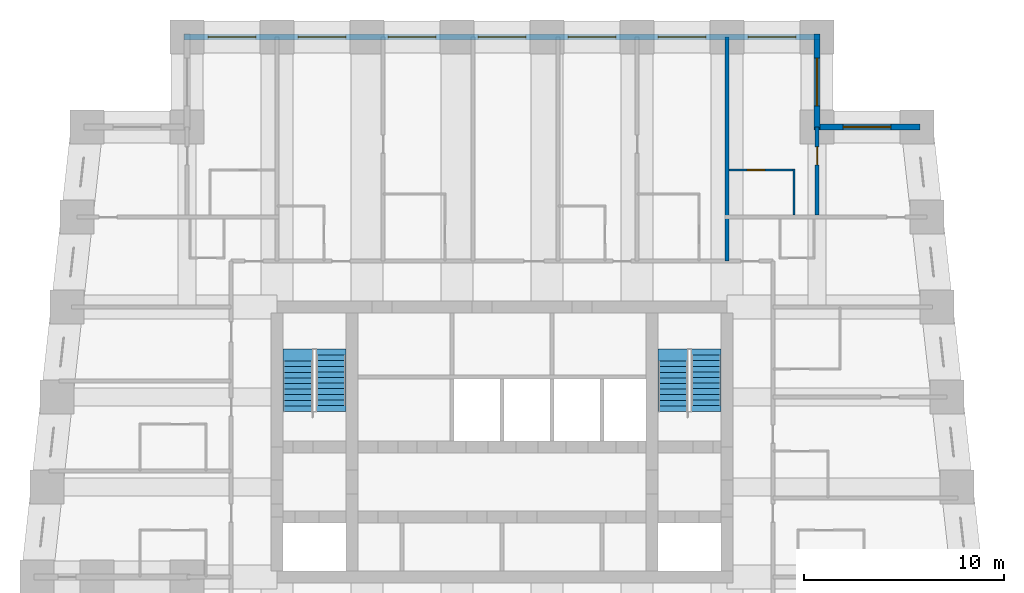
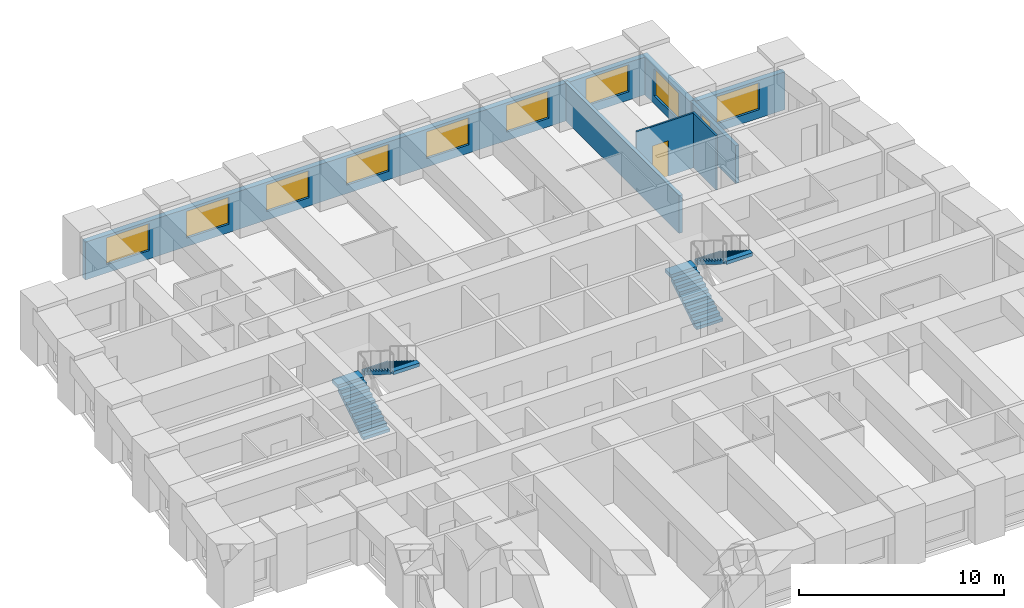
# One storey, part 7 of 8: 9 windows, 7 walls, 4 stair flights, 2 doors, 11 openings, 2 elements without a shape of their own.
"""IFC4 building model written with IfcOpenShell, lengths in metres."""

from ifc_helpers import new_model, si_unit, direction, frame, frame_2d, origin, place, context, subcontext, project, spatial, polyline, rectangle, outline, extrude, material, layer, layer_set, type_object, element, fill, aggregate, save


model = new_model("IFC4")

# Units and contexts
model_context = context("Model", 3, precision=1e-05, world=origin(), true_north=direction((0.0, 1.0)))
body_context = subcontext(model_context, "Body", "Model", "MODEL_VIEW")
ifc_project = project(units=[si_unit("LENGTHUNIT", "METRE"), si_unit("AREAUNIT", "SQUARE_METRE"), si_unit("VOLUMEUNIT", "CUBIC_METRE"), si_unit("PLANEANGLEUNIT", "RADIAN"), si_unit("MASSUNIT", "GRAM", prefix="KILO")], contexts=[model_context])

# Site, building, storey
site_placement = place(None, origin())
site = spatial("IfcSite", under=ifc_project, at=site_placement, CompositionType="ELEMENT")
building_placement = place(site_placement, origin())
building = spatial("IfcBuilding", under=site, at=building_placement, Name="Kilele Tower Hotel", CompositionType="ELEMENT")
storey_placement = place(building_placement, frame((0.0, 0.0, 193.89990234375)))
storey = spatial("IfcBuildingStorey", under=building, at=storey_placement, Name="L50", CompositionType="ELEMENT", Elevation=193.89990234375)

# Wall
ifc_material_1 = material(Name="Moisture-resistant board")
ifc_layer_1 = layer(ifc_material_1, 0.10009765625)
ifc_layer_set_1 = layer_set([ifc_layer_1], Name="Moisture-resistant board")
wall_type_1 = type_object("IfcWallType", Name="Bathroom partition 100", PredefinedType="PLUMBINGWALL", material=ifc_layer_set_1)
wall_1_placement = place(storey_placement, frame((39.35009765625, 31.60009765625, 0.0), z_axis=(0.0, 0.0, 1.0), x_axis=(0.0, 1.0, 0.0)))
element("IfcWall", 1, at=wall_1_placement, inside=storey, type_object=wall_type_1, Name="Bathroom partition 100 L50", PredefinedType="PLUMBINGWALL", context=body_context, shape_type="SweptSolid", body=[
    extrude(rectangle(XDim=2.2998046875, YDim=0.10009765625, at=frame_2d((1.14990234375, 0.0))), origin(), (0.0, 0.0, 1.0), 3.25),
])

# Wall, opening, door
wall_2_placement = place(storey_placement, frame((36.10009765625, 33.85009765625, 0.0), z_axis=(0.0, 0.0, 1.0), x_axis=(1.0, 0.0, 0.0)))
wall_2 = element("IfcWall", 2, at=wall_2_placement, inside=storey, type_object=wall_type_1, Name="Bathroom partition 100 L50", PredefinedType="PLUMBINGWALL", context=body_context, shape_type="SweptSolid", body=[
    extrude(rectangle(XDim=3.2998046875, YDim=0.10009765625, at=frame_2d((1.64990234375, 0.0))), origin(), (0.0, 0.0, 1.0), 3.25),
])
opening_1_placement = place(wall_2_placement, frame((0.89990234375, 0.0, 0.0)))
opening_1 = element("IfcOpeningElement", 3, at=opening_1_placement, cuts=wall_2, Name="Opening D2A", PredefinedType="OPENING", context=body_context, shape_type="SweptSolid", body=[
    extrude(rectangle(XDim=0.89990234375, YDim=2.10009765625, at=frame_2d((0.449951171875, 1.050048828125))), frame((0.0, 0.06005859375, 0.0), z_axis=(0.0, -1.0, 0.0), x_axis=(1.0, 0.0, 0.0)), (0.0, 0.0, 1.0), 0.1201171875),
])
ifc_material_2 = material(Name="Timber door leaf in hardwood frame", Category="wood")
door_type_1 = type_object("IfcDoorType", Name="Bathroom door 900", OperationType="SINGLE_SWING_LEFT", PredefinedType="DOOR", material=ifc_material_2)
door_1_placement = place(opening_1_placement, origin())
door_1 = element("IfcDoor", 4, at=door_1_placement, inside=storey, type_object=door_type_1, Name="Bathroom door 5023B", OperationType="SINGLE_SWING_LEFT", OverallHeight=2.10009765625, OverallWidth=0.89990234375, PredefinedType="DOOR", context=body_context, shape_type="SweptSolid", body=[
    extrude(rectangle(XDim=0.89990234375, YDim=2.10009765625, at=frame_2d((0.449951171875, 1.050048828125))), frame((0.0, 0.02490234375, 0.0), z_axis=(0.0, -1.0, 0.0), x_axis=(1.0, 0.0, 0.0)), (0.0, 0.0, 1.0), 0.050048828125),
])
fill(opening_1, door_1)

ifc_material_3 = material(Name="Blockwork, plastered both sides", Category="masonry")
ifc_layer_2 = layer(ifc_material_3, 0.199951171875)
ifc_layer_set_2 = layer_set([ifc_layer_2], Name="Blockwork, plastered both sides")
wall_type_2 = type_object("IfcWallType", Name="Partition wall 200", PredefinedType="PARTITIONING", material=ifc_layer_set_2)
wall_3_placement = place(storey_placement, frame((40.5, 31.60009765625, 0.0), z_axis=(0.0, 0.0, 1.0), x_axis=(0.0, 1.0, 0.0)))
wall_3 = element("IfcWall", 5, at=wall_3_placement, inside=storey, type_object=wall_type_2, Name="Partition wall 200 L50", PredefinedType="PARTITIONING", context=body_context, shape_type="SweptSolid", body=[
    extrude(rectangle(XDim=4.39990234375, YDim=0.199951171875, at=frame_2d((2.199951171875, 0.0))), origin(), (0.0, 0.0, 1.0), 2.25),
])
opening_2_placement = place(wall_3_placement, frame((2.5, 0.0, 0.0)))
opening_2 = element("IfcOpeningElement", 6, at=opening_2_placement, cuts=wall_3, Name="Opening D3", PredefinedType="OPENING", context=body_context, shape_type="SweptSolid", body=[
    extrude(rectangle(XDim=0.89990234375, YDim=2.10009765625, at=frame_2d((0.449951171875, 1.050048828125))), frame((0.0, 0.10986328125, 0.0), z_axis=(0.0, -1.0, 0.0), x_axis=(1.0, 0.0, 0.0)), (0.0, 0.0, 1.0), 0.219970703125),
])
ifc_material_4 = material(Name="Timber door leaf in hardwood frame", Category="wood")
door_type_2 = type_object("IfcDoorType", Name="Suite internal door 900", OperationType="SINGLE_SWING_LEFT", PredefinedType="DOOR", material=ifc_material_4)
door_2_placement = place(opening_2_placement, origin())
door_2 = element("IfcDoor", 7, at=door_2_placement, inside=storey, type_object=door_type_2, Name="Suite door 5024", OperationType="SINGLE_SWING_RIGHT", OverallHeight=2.10009765625, OverallWidth=0.89990234375, PredefinedType="DOOR", context=body_context, shape_type="SweptSolid", body=[
    extrude(rectangle(XDim=0.89990234375, YDim=2.10009765625, at=frame_2d((0.449951171875, 1.050048828125))), frame((0.0, 0.02490234375, 0.0), z_axis=(0.0, -1.0, 0.0), x_axis=(1.0, 0.0, 0.0)), (0.0, 0.0, 1.0), 0.050048828125),
])
fill(opening_2, door_2)

# Wall
ifc_material_5 = material(Name="Blockwork, plastered both sides", Category="masonry")
ifc_layer_3 = layer(ifc_material_5, 0.199951171875)
ifc_layer_set_3 = layer_set([ifc_layer_3], Name="Blockwork, plastered both sides")
wall_type_3 = type_object("IfcWallType", Name="Party wall 200", PredefinedType="PARTITIONING", material=ifc_layer_set_3)
wall_4_placement = place(storey_placement, frame((36.0, 29.300048828125, 0.0), z_axis=(0.0, 0.0, 1.0), x_axis=(0.0, 1.0, 0.0)))
element("IfcWall", 8, at=wall_4_placement, inside=storey, type_object=wall_type_3, Name="Party wall 200 L50", PredefinedType="PARTITIONING", context=body_context, shape_type="SweptSolid", body=[
    extrude(rectangle(XDim=11.199951171875, YDim=0.199951171875, at=frame_2d((5.60009765625, 0.0))), origin(), (0.0, 0.0, 1.0), 2.25),
])

# Wall, opening, window
ifc_material_6 = material(Name="Concrete C40/50 precast", Category="concrete")
ifc_layer_4 = layer(ifc_material_6, 0.260009765625, Name="Precast backing", Category="LoadBearing")
ifc_material_7 = material(Name="Reconstituted stone finish", Category="masonry")
ifc_layer_5 = layer(ifc_material_7, 0.0400390625, Name="Face mix", Category="Finish")
ifc_layer_set_4 = layer_set([ifc_layer_4, ifc_layer_5], Name="Precast concrete C40/50, reconstituted stone finish")
wall_type_4 = type_object("IfcWallType", Name="Precast stone facade wall 300", PredefinedType="STANDARD", material=ifc_layer_set_4)
wall_5_placement = place(storey_placement, frame((45.64990234375, 36.0, 0.0), z_axis=(0.0, 0.0, 1.0), x_axis=(-1.0, 0.0, 0.0)))
wall_5 = element("IfcWall", 9, at=wall_5_placement, inside=storey, type_object=wall_type_4, Name="Facade wall L50 edge 7", PredefinedType="STANDARD", context=body_context, shape_type="SweptSolid", body=[
    extrude(rectangle(XDim=5.2998046875, YDim=0.300048828125, at=frame_2d((2.64990234375, 0.0))), origin(), (0.0, 0.0, 1.0), 2.25),
])
opening_3_placement = place(wall_5_placement, frame((1.449951171875, 0.0, 0.5)))
opening_3 = element("IfcOpeningElement", 10, at=opening_3_placement, cuts=wall_5, Name="Opening W3", PredefinedType="OPENING", context=body_context, shape_type="SweptSolid", body=[
    extrude(rectangle(XDim=2.39990234375, YDim=1.60009765625, at=frame_2d((1.199951171875, 0.800048828125))), frame((0.0, 0.159912109375, 0.0), z_axis=(0.0, -1.0, 0.0), x_axis=(1.0, 0.0, 0.0)), (0.0, 0.0, 1.0), 0.320068359375),
])
ifc_material_8 = material(Name="Aluminium frame, clear double glazing", Category="aluminium")
window_type = type_object("IfcWindowType", Name="Window W3 2400 x 1600", PartitioningType="SINGLE_PANEL", PredefinedType="WINDOW", material=ifc_material_8)
window_1_placement = place(opening_3_placement, origin())
window_1 = element("IfcWindow", 11, at=window_1_placement, inside=storey, type_object=window_type, Name="Window L50", OverallHeight=1.60009765625, OverallWidth=2.39990234375, PartitioningType="SINGLE_PANEL", PredefinedType="WINDOW", context=body_context, shape_type="SweptSolid", body=[
    extrude(rectangle(XDim=2.39990234375, YDim=1.60009765625, at=frame_2d((1.199951171875, 0.800048828125))), frame((0.0, 0.030029296875, 0.0), z_axis=(0.0, -1.0, 0.0), x_axis=(1.0, 0.0, 0.0)), (0.0, 0.0, 1.0), 0.06005859375),
])
fill(opening_3, window_1)

wall_6_placement = place(storey_placement, frame((40.5, 35.85009765625, 0.0), z_axis=(0.0, 0.0, 1.0), x_axis=(0.0, 1.0, 0.0)))
wall_6 = element("IfcWall", 12, at=wall_6_placement, inside=storey, type_object=wall_type_4, Name="Facade wall L50 edge 8", PredefinedType="STANDARD", context=body_context, shape_type="SweptSolid", body=[
    extrude(rectangle(XDim=4.7998046875, YDim=0.300048828125, at=frame_2d((2.39990234375, 0.0))), origin(), (0.0, 0.0, 1.0), 2.25),
])
opening_4_placement = place(wall_6_placement, frame((1.199951171875, 0.0, 0.5)))
opening_4 = element("IfcOpeningElement", 13, at=opening_4_placement, cuts=wall_6, Name="Opening W3", PredefinedType="OPENING", context=body_context, shape_type="SweptSolid", body=[
    extrude(rectangle(XDim=2.39990234375, YDim=1.60009765625, at=frame_2d((1.199951171875, 0.800048828125))), frame((0.0, 0.159912109375, 0.0), z_axis=(0.0, -1.0, 0.0), x_axis=(1.0, 0.0, 0.0)), (0.0, 0.0, 1.0), 0.320068359375),
])
window_2_placement = place(opening_4_placement, origin())
window_2 = element("IfcWindow", 14, at=window_2_placement, inside=storey, type_object=window_type, Name="Window L50", OverallHeight=1.60009765625, OverallWidth=2.39990234375, PartitioningType="SINGLE_PANEL", PredefinedType="WINDOW", context=body_context, shape_type="SweptSolid", body=[
    extrude(rectangle(XDim=2.39990234375, YDim=1.60009765625, at=frame_2d((1.199951171875, 0.800048828125))), frame((0.0, 0.030029296875, 0.0), z_axis=(0.0, -1.0, 0.0), x_axis=(1.0, 0.0, 0.0)), (0.0, 0.0, 1.0), 0.06005859375),
])
fill(opening_4, window_2)

# Wall, openings, windows
wall_7_placement = place(storey_placement, frame((40.64990234375, 40.5, 0.0), z_axis=(0.0, 0.0, 1.0), x_axis=(-1.0, 0.0, 0.0)))
wall_7 = element("IfcWall", 15, at=wall_7_placement, inside=storey, type_object=wall_type_4, Name="Facade wall L50 edge 9", PredefinedType="STANDARD", context=body_context, shape_type="SweptSolid", body=[
    extrude(rectangle(XDim=31.7998046875, YDim=0.300048828125, at=frame_2d((15.89990234375, 0.0))), origin(), (0.0, 0.0, 1.0), 2.25),
])
opening_5_placement = place(wall_7_placement, frame((1.199951171875, 0.0, 0.5)))
opening_5 = element("IfcOpeningElement", 16, at=opening_5_placement, cuts=wall_7, Name="Opening W3", PredefinedType="OPENING", context=body_context, shape_type="SweptSolid", body=[
    extrude(rectangle(XDim=2.39990234375, YDim=1.60009765625, at=frame_2d((1.199951171875, 0.800048828125))), frame((0.0, 0.159912109375, 0.0), z_axis=(0.0, -1.0, 0.0), x_axis=(1.0, 0.0, 0.0)), (0.0, 0.0, 1.0), 0.320068359375),
])
opening_6_placement = place(wall_7_placement, frame((5.699951171875, 0.0, 0.5)))
opening_6 = element("IfcOpeningElement", 17, at=opening_6_placement, cuts=wall_7, Name="Opening W3", PredefinedType="OPENING", context=body_context, shape_type="SweptSolid", body=[
    extrude(rectangle(XDim=2.39990234375, YDim=1.60009765625, at=frame_2d((1.199951171875, 0.800048828125))), frame((0.0, 0.159912109375, 0.0), z_axis=(0.0, -1.0, 0.0), x_axis=(1.0, 0.0, 0.0)), (0.0, 0.0, 1.0), 0.320068359375),
])
opening_7_placement = place(wall_7_placement, frame((10.199951171875, 0.0, 0.5)))
opening_7 = element("IfcOpeningElement", 18, at=opening_7_placement, cuts=wall_7, Name="Opening W3", PredefinedType="OPENING", context=body_context, shape_type="SweptSolid", body=[
    extrude(rectangle(XDim=2.39990234375, YDim=1.60009765625, at=frame_2d((1.199951171875, 0.800048828125))), frame((0.0, 0.159912109375, 0.0), z_axis=(0.0, -1.0, 0.0), x_axis=(1.0, 0.0, 0.0)), (0.0, 0.0, 1.0), 0.320068359375),
])
opening_8_placement = place(wall_7_placement, frame((14.699951171875, 0.0, 0.5)))
opening_8 = element("IfcOpeningElement", 19, at=opening_8_placement, cuts=wall_7, Name="Opening W3", PredefinedType="OPENING", context=body_context, shape_type="SweptSolid", body=[
    extrude(rectangle(XDim=2.39990234375, YDim=1.60009765625, at=frame_2d((1.199951171875, 0.800048828125))), frame((0.0, 0.159912109375, 0.0), z_axis=(0.0, -1.0, 0.0), x_axis=(1.0, 0.0, 0.0)), (0.0, 0.0, 1.0), 0.320068359375),
])
opening_9_placement = place(wall_7_placement, frame((19.199951171875, 0.0, 0.5)))
opening_9 = element("IfcOpeningElement", 20, at=opening_9_placement, cuts=wall_7, Name="Opening W3", PredefinedType="OPENING", context=body_context, shape_type="SweptSolid", body=[
    extrude(rectangle(XDim=2.39990234375, YDim=1.60009765625, at=frame_2d((1.199951171875, 0.800048828125))), frame((0.0, 0.159912109375, 0.0), z_axis=(0.0, -1.0, 0.0), x_axis=(1.0, 0.0, 0.0)), (0.0, 0.0, 1.0), 0.320068359375),
])
opening_10_placement = place(wall_7_placement, frame((23.699951171875, 0.0, 0.5)))
opening_10 = element("IfcOpeningElement", 21, at=opening_10_placement, cuts=wall_7, Name="Opening W3", PredefinedType="OPENING", context=body_context, shape_type="SweptSolid", body=[
    extrude(rectangle(XDim=2.39990234375, YDim=1.60009765625, at=frame_2d((1.199951171875, 0.800048828125))), frame((0.0, 0.159912109375, 0.0), z_axis=(0.0, -1.0, 0.0), x_axis=(1.0, 0.0, 0.0)), (0.0, 0.0, 1.0), 0.320068359375),
])
opening_11_placement = place(wall_7_placement, frame((28.199951171875, 0.0, 0.5)))
opening_11 = element("IfcOpeningElement", 22, at=opening_11_placement, cuts=wall_7, Name="Opening W3", PredefinedType="OPENING", context=body_context, shape_type="SweptSolid", body=[
    extrude(rectangle(XDim=2.39990234375, YDim=1.60009765625, at=frame_2d((1.199951171875, 0.800048828125))), frame((0.0, 0.159912109375, 0.0), z_axis=(0.0, -1.0, 0.0), x_axis=(1.0, 0.0, 0.0)), (0.0, 0.0, 1.0), 0.320068359375),
])
window_3_placement = place(opening_5_placement, origin())
window_3 = element("IfcWindow", 23, at=window_3_placement, inside=storey, type_object=window_type, Name="Window L50", OverallHeight=1.60009765625, OverallWidth=2.39990234375, PartitioningType="SINGLE_PANEL", PredefinedType="WINDOW", context=body_context, shape_type="SweptSolid", body=[
    extrude(rectangle(XDim=2.39990234375, YDim=1.60009765625, at=frame_2d((1.199951171875, 0.800048828125))), frame((0.0, 0.030029296875, 0.0), z_axis=(0.0, -1.0, 0.0), x_axis=(1.0, 0.0, 0.0)), (0.0, 0.0, 1.0), 0.06005859375),
])
fill(opening_5, window_3)
window_4_placement = place(opening_6_placement, origin())
window_4 = element("IfcWindow", 24, at=window_4_placement, inside=storey, type_object=window_type, Name="Window L50", OverallHeight=1.60009765625, OverallWidth=2.39990234375, PartitioningType="SINGLE_PANEL", PredefinedType="WINDOW", context=body_context, shape_type="SweptSolid", body=[
    extrude(rectangle(XDim=2.39990234375, YDim=1.60009765625, at=frame_2d((1.199951171875, 0.800048828125))), frame((0.0, 0.030029296875, 0.0), z_axis=(0.0, -1.0, 0.0), x_axis=(1.0, 0.0, 0.0)), (0.0, 0.0, 1.0), 0.06005859375),
])
fill(opening_6, window_4)
window_5_placement = place(opening_7_placement, origin())
window_5 = element("IfcWindow", 25, at=window_5_placement, inside=storey, type_object=window_type, Name="Window L50", OverallHeight=1.60009765625, OverallWidth=2.39990234375, PartitioningType="SINGLE_PANEL", PredefinedType="WINDOW", context=body_context, shape_type="SweptSolid", body=[
    extrude(rectangle(XDim=2.39990234375, YDim=1.60009765625, at=frame_2d((1.199951171875, 0.800048828125))), frame((0.0, 0.030029296875, 0.0), z_axis=(0.0, -1.0, 0.0), x_axis=(1.0, 0.0, 0.0)), (0.0, 0.0, 1.0), 0.06005859375),
])
fill(opening_7, window_5)
window_6_placement = place(opening_8_placement, origin())
window_6 = element("IfcWindow", 26, at=window_6_placement, inside=storey, type_object=window_type, Name="Window L50", OverallHeight=1.60009765625, OverallWidth=2.39990234375, PartitioningType="SINGLE_PANEL", PredefinedType="WINDOW", context=body_context, shape_type="SweptSolid", body=[
    extrude(rectangle(XDim=2.39990234375, YDim=1.60009765625, at=frame_2d((1.199951171875, 0.800048828125))), frame((0.0, 0.030029296875, 0.0), z_axis=(0.0, -1.0, 0.0), x_axis=(1.0, 0.0, 0.0)), (0.0, 0.0, 1.0), 0.06005859375),
])
fill(opening_8, window_6)
window_7_placement = place(opening_9_placement, origin())
window_7 = element("IfcWindow", 27, at=window_7_placement, inside=storey, type_object=window_type, Name="Window L50", OverallHeight=1.60009765625, OverallWidth=2.39990234375, PartitioningType="SINGLE_PANEL", PredefinedType="WINDOW", context=body_context, shape_type="SweptSolid", body=[
    extrude(rectangle(XDim=2.39990234375, YDim=1.60009765625, at=frame_2d((1.199951171875, 0.800048828125))), frame((0.0, 0.030029296875, 0.0), z_axis=(0.0, -1.0, 0.0), x_axis=(1.0, 0.0, 0.0)), (0.0, 0.0, 1.0), 0.06005859375),
])
fill(opening_9, window_7)
window_8_placement = place(opening_10_placement, origin())
window_8 = element("IfcWindow", 28, at=window_8_placement, inside=storey, type_object=window_type, Name="Window L50", OverallHeight=1.60009765625, OverallWidth=2.39990234375, PartitioningType="SINGLE_PANEL", PredefinedType="WINDOW", context=body_context, shape_type="SweptSolid", body=[
    extrude(rectangle(XDim=2.39990234375, YDim=1.60009765625, at=frame_2d((1.199951171875, 0.800048828125))), frame((0.0, 0.030029296875, 0.0), z_axis=(0.0, -1.0, 0.0), x_axis=(1.0, 0.0, 0.0)), (0.0, 0.0, 1.0), 0.06005859375),
])
fill(opening_10, window_8)
window_9_placement = place(opening_11_placement, origin())
window_9 = element("IfcWindow", 29, at=window_9_placement, inside=storey, type_object=window_type, Name="Window L50", OverallHeight=1.60009765625, OverallWidth=2.39990234375, PartitioningType="SINGLE_PANEL", PredefinedType="WINDOW", context=body_context, shape_type="SweptSolid", body=[
    extrude(rectangle(XDim=2.39990234375, YDim=1.60009765625, at=frame_2d((1.199951171875, 0.800048828125))), frame((0.0, 0.030029296875, 0.0), z_axis=(0.0, -1.0, 0.0), x_axis=(1.0, 0.0, 0.0)), (0.0, 0.0, 1.0), 0.06005859375),
])
fill(opening_11, window_9)

# Stair, stair flights
ifc_material_9 = material(Name="Precast concrete C40/50", Category="concrete")
stair_type = type_object("IfcStairType", Name="Stair 1475 x 3500", PredefinedType="HALF_TURN_STAIR", material=ifc_material_9)
stair_1_placement = place(storey_placement, origin())
stair_1 = element("IfcStair", 30, at=stair_1_placement, inside=storey, type_object=stair_type, Name="Stair 1 L50", PredefinedType="HALF_TURN_STAIR")
ifc_material_10 = material(Name="Precast concrete C40/50", Category="concrete")
stair_flight_type = type_object("IfcStairFlightType", Name="Flight 1475 riser 175.0", PredefinedType="STRAIGHT", material=ifc_material_10)
stair_flight_1_placement = place(storey_placement, frame((14.53759765625, 21.77490234375, 0.0), z_axis=(0.0, 0.0, 1.0), x_axis=(0.0, 1.0, 0.0)))
stair_flight_1 = element("IfcStairFlight", 31, at=stair_flight_1_placement, type_object=stair_flight_type, Name="ST1 flight 1", NumberOfRisers=10, NumberOfTreads=9, PredefinedType="STRAIGHT", RiserHeight=0.175, TreadLength=0.28, context=body_context, shape_type="SweptSolid", body=[
    extrude(outline(polyline([(0.0, 0.0), (0.0, 0.175048828125), (0.280029296875, 0.175048828125), (0.280029296875, 0.35009765625), (0.56005859375, 0.35009765625), (0.56005859375, 0.52490234375), (0.840087890625, 0.52490234375), (0.840087890625, 0.699951171875), (1.1201171875, 0.699951171875), (1.1201171875, 0.875), (1.39990234375, 0.875), (1.39990234375, 1.050048828125), (1.679931640625, 1.050048828125), (1.679931640625, 1.22509765625), (1.9599609375, 1.22509765625), (1.9599609375, 1.39990234375), (2.239990234375, 1.39990234375), (2.239990234375, 1.574951171875), (2.52001953125, 1.574951171875), (2.52001953125, 1.75), (2.52001953125, 1.398193359375), (0.28271484375, 0.0), (0.0, 0.0)])), frame((0.0, 0.737548828125, 0.0), z_axis=(0.0, -1.0, 0.0), x_axis=(1.0, 0.0, 0.0)), (0.0, 0.0, 1.0), 1.47509765625),
    extrude(outline(polyline([(2.52001953125, 0.737548828125), (2.52001953125, -0.7373046875), (3.1201171875, -0.7373046875), (3.1201171875, 0.737548828125), (2.52001953125, 0.737548828125)])), frame((0.0, 0.0, 1.550048828125)), (0.0, 0.0, 1.0), 0.199951171875),
])
stair_flight_2_placement = place(storey_placement, frame((16.21240234375, 24.594970703125, 1.75), z_axis=(0.0, 0.0, 1.0), x_axis=(0.0, -1.0, 0.0)))
stair_flight_2 = element("IfcStairFlight", 32, at=stair_flight_2_placement, type_object=stair_flight_type, Name="ST1 flight 2", NumberOfRisers=10, NumberOfTreads=9, PredefinedType="STRAIGHT", RiserHeight=0.175, TreadLength=0.28, context=body_context, shape_type="SweptSolid", body=[
    extrude(outline(polyline([(0.0, 0.0), (0.0, 0.175048828125), (0.280029296875, 0.175048828125), (0.280029296875, 0.35009765625), (0.56005859375, 0.35009765625), (0.56005859375, 0.52490234375), (0.840087890625, 0.52490234375), (0.840087890625, 0.699951171875), (1.1201171875, 0.699951171875), (1.1201171875, 0.875), (1.39990234375, 0.875), (1.39990234375, 1.050048828125), (1.679931640625, 1.050048828125), (1.679931640625, 1.22509765625), (1.9599609375, 1.22509765625), (1.9599609375, 1.39990234375), (2.239990234375, 1.39990234375), (2.239990234375, 1.574951171875), (2.52001953125, 1.574951171875), (2.52001953125, 1.75), (2.52001953125, 1.398193359375), (0.28271484375, 0.0), (0.0, 0.0)])), frame((0.0, 0.737548828125, 0.0), z_axis=(0.0, -1.0, 0.0), x_axis=(1.0, 0.0, 0.0)), (0.0, 0.0, 1.0), 1.47509765625),
    extrude(outline(polyline([(0.0, -0.7373046875), (0.0, 0.737548828125), (-0.300048828125, 0.737548828125), (-0.300048828125, -0.7373046875), (0.0, -0.7373046875)])), frame((0.0, 0.0, -0.199951171875)), (0.0, 0.0, 1.0), 0.199951171875),
    extrude(outline(polyline([(2.820068359375, -0.7373046875), (2.820068359375, 0.737548828125), (2.52001953125, 0.737548828125), (2.52001953125, -0.7373046875), (2.820068359375, -0.7373046875)])), frame((0.0, 0.0, 1.550048828125)), (0.0, 0.0, 1.0), 0.199951171875),
])
aggregate(stair_1, [stair_flight_1, stair_flight_2])

stair_2_placement = place(storey_placement, origin())
stair_2 = element("IfcStair", 33, at=stair_2_placement, inside=storey, type_object=stair_type, Name="Stair 2 L50", PredefinedType="HALF_TURN_STAIR")
stair_flight_3_placement = place(storey_placement, frame((33.28759765625, 21.77490234375, 0.0), z_axis=(0.0, 0.0, 1.0), x_axis=(0.0, 1.0, 0.0)))
stair_flight_3 = element("IfcStairFlight", 34, at=stair_flight_3_placement, type_object=stair_flight_type, Name="ST2 flight 1", NumberOfRisers=10, NumberOfTreads=9, PredefinedType="STRAIGHT", RiserHeight=0.175, TreadLength=0.28, context=body_context, shape_type="SweptSolid", body=[
    extrude(outline(polyline([(0.0, 0.0), (0.0, 0.175048828125), (0.280029296875, 0.175048828125), (0.280029296875, 0.35009765625), (0.56005859375, 0.35009765625), (0.56005859375, 0.52490234375), (0.840087890625, 0.52490234375), (0.840087890625, 0.699951171875), (1.1201171875, 0.699951171875), (1.1201171875, 0.875), (1.39990234375, 0.875), (1.39990234375, 1.050048828125), (1.679931640625, 1.050048828125), (1.679931640625, 1.22509765625), (1.9599609375, 1.22509765625), (1.9599609375, 1.39990234375), (2.239990234375, 1.39990234375), (2.239990234375, 1.574951171875), (2.52001953125, 1.574951171875), (2.52001953125, 1.75), (2.52001953125, 1.398193359375), (0.28271484375, 0.0), (0.0, 0.0)])), frame((0.0, 0.737548828125, 0.0), z_axis=(0.0, -1.0, 0.0), x_axis=(1.0, 0.0, 0.0)), (0.0, 0.0, 1.0), 1.47509765625),
    extrude(outline(polyline([(2.52001953125, 0.737548828125), (2.52001953125, -0.7373046875), (3.1201171875, -0.7373046875), (3.1201171875, 0.737548828125), (2.52001953125, 0.737548828125)])), frame((0.0, 0.0, 1.550048828125)), (0.0, 0.0, 1.0), 0.199951171875),
])
stair_flight_4_placement = place(storey_placement, frame((34.96240234375, 24.594970703125, 1.75), z_axis=(0.0, 0.0, 1.0), x_axis=(0.0, -1.0, 0.0)))
stair_flight_4 = element("IfcStairFlight", 35, at=stair_flight_4_placement, type_object=stair_flight_type, Name="ST2 flight 2", NumberOfRisers=10, NumberOfTreads=9, PredefinedType="STRAIGHT", RiserHeight=0.175, TreadLength=0.28, context=body_context, shape_type="SweptSolid", body=[
    extrude(outline(polyline([(0.0, 0.0), (0.0, 0.175048828125), (0.280029296875, 0.175048828125), (0.280029296875, 0.35009765625), (0.56005859375, 0.35009765625), (0.56005859375, 0.52490234375), (0.840087890625, 0.52490234375), (0.840087890625, 0.699951171875), (1.1201171875, 0.699951171875), (1.1201171875, 0.875), (1.39990234375, 0.875), (1.39990234375, 1.050048828125), (1.679931640625, 1.050048828125), (1.679931640625, 1.22509765625), (1.9599609375, 1.22509765625), (1.9599609375, 1.39990234375), (2.239990234375, 1.39990234375), (2.239990234375, 1.574951171875), (2.52001953125, 1.574951171875), (2.52001953125, 1.75), (2.52001953125, 1.398193359375), (0.28271484375, 0.0), (0.0, 0.0)])), frame((0.0, 0.737548828125, 0.0), z_axis=(0.0, -1.0, 0.0), x_axis=(1.0, 0.0, 0.0)), (0.0, 0.0, 1.0), 1.47509765625),
    extrude(outline(polyline([(0.0, -0.7373046875), (0.0, 0.737548828125), (-0.300048828125, 0.737548828125), (-0.300048828125, -0.7373046875), (0.0, -0.7373046875)])), frame((0.0, 0.0, -0.199951171875)), (0.0, 0.0, 1.0), 0.199951171875),
    extrude(outline(polyline([(2.820068359375, -0.7373046875), (2.820068359375, 0.737548828125), (2.52001953125, 0.737548828125), (2.52001953125, -0.7373046875), (2.820068359375, -0.7373046875)])), frame((0.0, 0.0, 1.550048828125)), (0.0, 0.0, 1.0), 0.199951171875),
])
aggregate(stair_2, [stair_flight_3, stair_flight_4])

save(model, "model.ifc")
